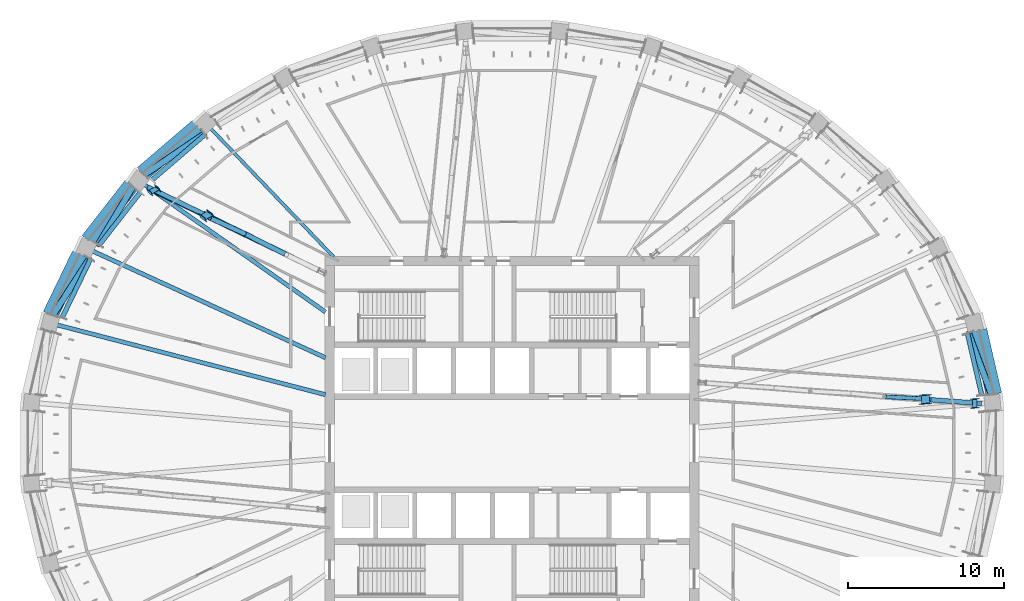
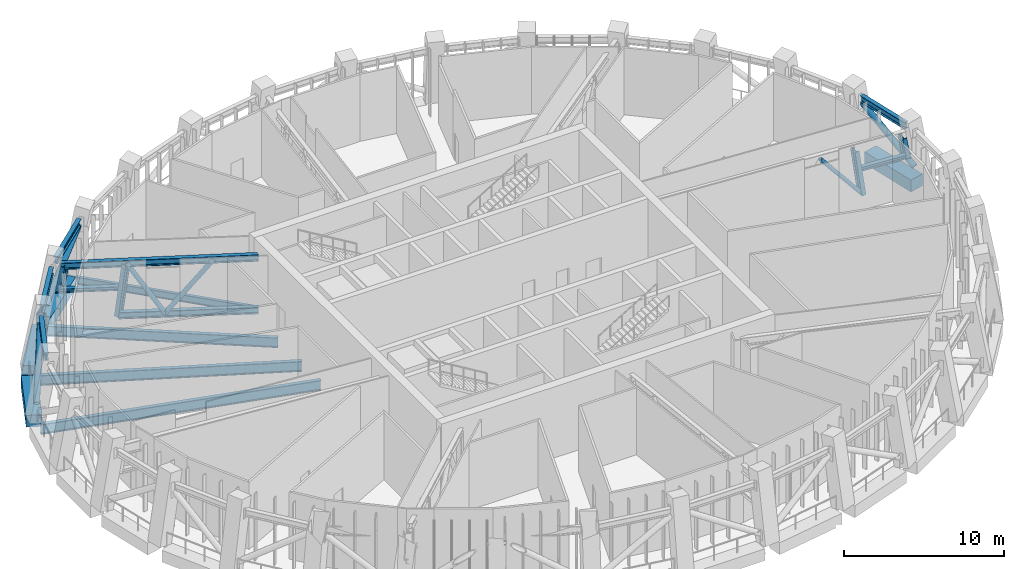
# One storey, part 4 of 20: 19 members, 8 beams.
"""IFC4 building model written with IfcOpenShell, lengths in metres."""

from ifc_helpers import new_model, si_unit, direction, frame, origin, origin_2d, place, context, subcontext, project, spatial, rectangle, hollow_circle, i_section, extrude, material, material_profile, profile_set, type_object, element, save


model = new_model("IFC4")

# Units and contexts
model_context = context("Model", 3, precision=1e-05, world=origin(), true_north=direction((0.0, 1.0)))
body_context = subcontext(model_context, "Body", "Model", "MODEL_VIEW")
ifc_project = project(units=[si_unit("LENGTHUNIT", "METRE"), si_unit("AREAUNIT", "SQUARE_METRE"), si_unit("VOLUMEUNIT", "CUBIC_METRE"), si_unit("PLANEANGLEUNIT", "RADIAN"), si_unit("MASSUNIT", "GRAM", prefix="KILO")], contexts=[model_context])

# Site, building, storey
site_placement = place(None, origin())
site = spatial("IfcSite", under=ifc_project, at=site_placement, CompositionType="ELEMENT")
building_placement = place(site_placement, origin())
building = spatial("IfcBuilding", under=site, at=building_placement, Name="Halqa Exchange Tower", CompositionType="ELEMENT")
storey_placement = place(building_placement, frame((0.0, 0.0, 250.89990234375)))
storey = spatial("IfcBuildingStorey", under=building, at=storey_placement, Name="L58", CompositionType="ELEMENT", Elevation=250.89990234375)

# Members
ifc_material_1 = material(Name="Steel S355", Category="steel")
ifc_material_profile_1 = material_profile(ifc_material_1, i_section(OverallWidth=0.300048828125, OverallDepth=0.5, WebThickness=0.014404296875, FlangeThickness=0.028076171875, FilletRadius=0.027099609375, at=origin_2d()), Name="HEB 500")
ifc_profile_set_1 = profile_set([ifc_material_profile_1], Name="Steel S355")
member_type_1 = type_object("IfcMemberType", Name="Belt truss chord HEB 500", PredefinedType="CHORD", material=ifc_profile_set_1)
member_1_placement = place(storey_placement, frame((30.157958984375, 3.068603515625, 4.25), z_axis=(-0.226017574115, 0.974123224336, 0.0), x_axis=(-0.974123224336, -0.226017574115, 0.0)))
element("IfcMember", 1, at=member_1_placement, inside=storey, type_object=member_type_1, Name="Belt chord 1", PredefinedType="CHORD", context=body_context, shape_type="SweptSolid", body=[
    extrude(i_section(OverallWidth=0.300048828125, OverallDepth=0.5, WebThickness=0.014404296875, FlangeThickness=0.028076171875, FilletRadius=0.027099609375, at=origin_2d()), origin(), (0.0, 0.0, 1.0), 4.094970703125),
])
member_2_placement = place(storey_placement, frame((-19.698486328125, 19.816650390625, 4.25), z_axis=(-0.759271904272, -0.650773520807, 0.0), x_axis=(0.650773520807, -0.759271904272, 0.0)))
element("IfcMember", 2, at=member_2_placement, inside=storey, type_object=member_type_1, Name="Belt chord 12", PredefinedType="CHORD", context=body_context, shape_type="SweptSolid", body=[
    extrude(i_section(OverallWidth=0.300048828125, OverallDepth=0.5, WebThickness=0.014404296875, FlangeThickness=0.028076171875, FilletRadius=0.027099609375, at=origin_2d()), origin(), (0.0, 0.0, 1.0), 4.5048828125),
])
member_3_placement = place(storey_placement, frame((-23.8408203125, 16.128662109375, 4.25), z_axis=(-0.61482050044, -0.78866707313, 0.0), x_axis=(0.78866707313, -0.61482050044, 0.0)))
element("IfcMember", 3, at=member_3_placement, inside=storey, type_object=member_type_1, Name="Belt chord 13", PredefinedType="CHORD", context=body_context, shape_type="SweptSolid", body=[
    extrude(i_section(OverallWidth=0.300048828125, OverallDepth=0.5, WebThickness=0.014404296875, FlangeThickness=0.028076171875, FilletRadius=0.027099609375, at=origin_2d()), origin(), (0.0, 0.0, 1.0), 4.33935546875),
])
member_4_placement = place(storey_placement, frame((-27.0595703125, 11.820068359375, 4.25), z_axis=(-0.4350908165, -0.90038657331, 0.0), x_axis=(0.90038657331, -0.4350908165, 0.0)))
element("IfcMember", 4, at=member_4_placement, inside=storey, type_object=member_type_1, Name="Belt chord 14", PredefinedType="CHORD", context=body_context, shape_type="SweptSolid", body=[
    extrude(i_section(OverallWidth=0.300048828125, OverallDepth=0.5, WebThickness=0.014404296875, FlangeThickness=0.028076171875, FilletRadius=0.027099609375, at=origin_2d()), origin(), (0.0, 0.0, 1.0), 4.195068359375),
])
ifc_material_profile_2 = material_profile(ifc_material_1, hollow_circle(Radius=0.203125, WallThickness=0.02490234375, at=origin_2d()), Name="CHS 406.4x25")
ifc_profile_set_2 = profile_set([ifc_material_profile_2], Name="Steel S355")
member_type_2 = type_object("IfcMemberType", Name="Belt truss diagonal CHS 406.4x25", PredefinedType="BRACE", material=ifc_profile_set_2)
member_5_placement = place(storey_placement, frame((30.779296875, 3.11865234375, 0.8818359375), z_axis=(-0.285989857833, 0.764098993003, 0.578240892801), x_axis=(-0.936549522453, -0.350535293506, 0.0)))
element("IfcMember", 5, at=member_5_placement, inside=storey, type_object=member_type_2, Name="Belt diagonal 1", PredefinedType="BRACE", context=body_context, shape_type="SweptSolid", body=[
    extrude(hollow_circle(Radius=0.203125, WallThickness=0.02490234375, at=origin_2d()), origin(), (0.0, 0.0, 1.0), 5.18603515625),
])
member_6_placement = place(storey_placement, frame((-19.732666015625, 19.86376953125, 3.9091796875), z_axis=(-0.692379731861, -0.471487166758, -0.546177771875), x_axis=(0.562855976316, -0.826554989051, 0.0)))
element("IfcMember", 6, at=member_6_placement, inside=storey, type_object=member_type_2, Name="Belt diagonal 12", PredefinedType="BRACE", context=body_context, shape_type="SweptSolid", body=[
    extrude(hollow_circle(Radius=0.203125, WallThickness=0.02490234375, at=origin_2d()), origin(), (0.0, 0.0, 1.0), 5.605712890625),
])
member_7_placement = place(storey_placement, frame((-24.329833984375, 16.461669921875, 0.8720703125), z_axis=(-0.422540858063, -0.704188568963, 0.570594148769), x_axis=(0.857478035595, -0.514520571476, 0.0)))
element("IfcMember", 7, at=member_7_placement, inside=storey, type_object=member_type_2, Name="Belt diagonal 13", PredefinedType="BRACE", context=body_context, shape_type="SweptSolid", body=[
    extrude(hollow_circle(Radius=0.203125, WallThickness=0.02490234375, at=origin_2d()), origin(), (0.0, 0.0, 1.0), 5.28515625),
])
member_8_placement = place(storey_placement, frame((-27.114501953125, 11.85498046875, 3.889404296875), z_axis=(-0.447066654796, -0.690276806546, -0.568901868967), x_axis=(0.83933884135, -0.543608599455, 0.0)))
element("IfcMember", 8, at=member_8_placement, inside=storey, type_object=member_type_2, Name="Belt diagonal 14", PredefinedType="BRACE", context=body_context, shape_type="SweptSolid", body=[
    extrude(hollow_circle(Radius=0.203125, WallThickness=0.02490234375, at=origin_2d()), origin(), (0.0, 0.0, 1.0), 5.30419921875),
])

# Beams
ifc_material_profile_3 = material_profile(ifc_material_1, i_section(OverallWidth=0.2099609375, OverallDepth=0.550048828125, WebThickness=0.010986328125, FlangeThickness=0.01708984375, FilletRadius=0.02392578125, at=origin_2d()), Name="IPE 550")
ifc_profile_set_3 = profile_set([ifc_material_profile_3], Name="Steel S355")
beam_type_1 = type_object("IfcBeamType", Name="Floor beam IPE 550", PredefinedType="BEAM", material=ifc_profile_set_3)
beam_1_placement = place(storey_placement, frame((-11.462646484375, 11.971923828125, -0.625), z_axis=(-0.691575675891, 0.722304011145, 0.0), x_axis=(-0.722304011145, -0.691575675891, 0.0)))
element("IfcBeam", 9, at=beam_1_placement, inside=storey, type_object=beam_type_1, Name="Radial beam 12", PredefinedType="BEAM", context=body_context, shape_type="SweptSolid", body=[
    extrude(i_section(OverallWidth=0.2099609375, OverallDepth=0.550048828125, WebThickness=0.010986328125, FlangeThickness=0.01708984375, FilletRadius=0.02392578125, at=origin_2d()), origin(), (0.0, 0.0, 1.0), 11.679443359375),
])
ifc_material_profile_4 = material_profile(ifc_material_1, i_section(OverallWidth=0.264892578125, OverallDepth=0.7529296875, WebThickness=0.01318359375, FlangeThickness=0.01708984375, FilletRadius=0.01708984375, at=origin_2d()), Name="IPE 750x147")
ifc_profile_set_4 = profile_set([ifc_material_profile_4], Name="Steel S355")
beam_type_2 = type_object("IfcBeamType", Name="Floor beam IPE 750x147", PredefinedType="BEAM", material=ifc_profile_set_4)
beam_2_placement = place(storey_placement, frame((-11.97216796875, 8.421630859375, -0.726318359375), z_axis=(-0.817908068869, 0.575348929676, 0.0), x_axis=(-0.575348929676, -0.817908068869, 0.0)))
element("IfcBeam", 10, at=beam_2_placement, inside=storey, type_object=beam_type_2, Name="Radial beam 13", PredefinedType="BEAM", context=body_context, shape_type="SweptSolid", body=[
    extrude(i_section(OverallWidth=0.264892578125, OverallDepth=0.7529296875, WebThickness=0.01318359375, FlangeThickness=0.01708984375, FilletRadius=0.01708984375, at=origin_2d()), origin(), (0.0, 0.0, 1.0), 14.48388671875),
])
ifc_material_profile_5 = material_profile(ifc_material_1, i_section(OverallWidth=0.26806640625, OverallDepth=0.77001953125, WebThickness=0.015625, FlangeThickness=0.025390625, FilletRadius=0.01708984375, at=origin_2d()), Name="IPE 750x196")
ifc_profile_set_5 = profile_set([ifc_material_profile_5], Name="Steel S355")
beam_type_3 = type_object("IfcBeamType", Name="Floor beam IPE 750x196", PredefinedType="BEAM", material=ifc_profile_set_5)
beam_3_placement = place(storey_placement, frame((-11.97119140625, 5.484619140625, -0.73486328125), z_axis=(-0.909127215355, 0.41651855457, 0.0), x_axis=(-0.41651855457, -0.909127215355, 0.0)))
element("IfcBeam", 11, at=beam_3_placement, inside=storey, type_object=beam_type_3, Name="Radial beam 14", PredefinedType="BEAM", context=body_context, shape_type="SweptSolid", body=[
    extrude(i_section(OverallWidth=0.26806640625, OverallDepth=0.77001953125, WebThickness=0.015625, FlangeThickness=0.025390625, FilletRadius=0.01708984375, at=origin_2d()), origin(), (0.0, 0.0, 1.0), 16.732666015625),
])
beam_4_placement = place(storey_placement, frame((-11.97119140625, 3.112548828125, -0.73486328125), z_axis=(-0.967817321114, 0.251653795821, 0.0), x_axis=(-0.251653795821, -0.967817321114, 0.0)))
element("IfcBeam", 12, at=beam_4_placement, inside=storey, type_object=beam_type_3, Name="Radial beam 15", PredefinedType="BEAM", context=body_context, shape_type="SweptSolid", body=[
    extrude(i_section(OverallWidth=0.26806640625, OverallDepth=0.77001953125, WebThickness=0.015625, FlangeThickness=0.025390625, FilletRadius=0.01708984375, at=origin_2d()), origin(), (0.0, 0.0, 1.0), 18.116455078125),
])

# Members
ifc_material_profile_6 = material_profile(ifc_material_1, i_section(OverallWidth=0.300048828125, OverallDepth=0.5, WebThickness=0.014404296875, FlangeThickness=0.028076171875, FilletRadius=0.027099609375, at=origin_2d()), Name="HEB 500")
ifc_profile_set_6 = profile_set([ifc_material_profile_6], Name="Steel S355")
member_type_3 = type_object("IfcMemberType", Name="Outrigger chord HEB 500", PredefinedType="CHORD", material=ifc_profile_set_6)
member_9_placement = place(storey_placement, frame((-11.975830078125, 10.88818359375, 0.25), z_axis=(-0.896841754673, 0.442351519807, 0.0), x_axis=(-0.442351519807, -0.896841754673, 0.0)))
element("IfcMember", 13, at=member_9_placement, inside=storey, type_object=member_type_3, Name="Outrigger 4 chord", PredefinedType="CHORD", context=body_context, shape_type="SweptSolid", body=[
    extrude(i_section(OverallWidth=0.300048828125, OverallDepth=0.5, WebThickness=0.014404296875, FlangeThickness=0.028076171875, FilletRadius=0.027099609375, at=origin_2d()), origin(), (0.0, 0.0, 1.0), 8.7490234375),
])
member_10_placement = place(storey_placement, frame((-11.975830078125, 10.88818359375, 4.25), z_axis=(-0.900668764805, 0.434506359108, 0.0), x_axis=(-0.434506359108, -0.900668764805, 0.0)))
element("IfcMember", 14, at=member_10_placement, inside=storey, type_object=member_type_3, Name="Outrigger 4 chord", PredefinedType="CHORD", context=body_context, shape_type="SweptSolid", body=[
    extrude(i_section(OverallWidth=0.300048828125, OverallDepth=0.5, WebThickness=0.014404296875, FlangeThickness=0.028076171875, FilletRadius=0.027099609375, at=origin_2d()), origin(), (0.0, 0.0, 1.0), 12.378173828125),
])
ifc_material_profile_7 = material_profile(ifc_material_1, hollow_circle(Radius=0.136474609375, WallThickness=0.01611328125, at=origin_2d()), Name="CHS 273x16")
ifc_profile_set_7 = profile_set([ifc_material_profile_7], Name="Steel S355")
member_type_4 = type_object("IfcMemberType", Name="Outrigger diagonal CHS 273x16", PredefinedType="BRACE", material=ifc_profile_set_7)
member_11_placement = place(storey_placement, frame((23.90283203125, 2.980224609375, 3.940185546875), z_axis=(0.634323057085, -0.030637953111, -0.772460727208), x_axis=(0.048243993879, 0.998835580591, 0.0)))
element("IfcMember", 15, at=member_11_placement, inside=storey, type_object=member_type_4, Name="Outrigger 1 diagonal", PredefinedType="BRACE", context=body_context, shape_type="SweptSolid", body=[
    extrude(hollow_circle(Radius=0.136474609375, WallThickness=0.01611328125, at=origin_2d()), origin(), (0.0, 0.0, 1.0), 4.573974609375),
])
ifc_material_profile_8 = material_profile(ifc_material_1, hollow_circle(Radius=0.161865234375, WallThickness=0.01611328125, at=origin_2d()), Name="CHS 323.9x16")
ifc_profile_set_8 = profile_set([ifc_material_profile_8], Name="Steel S355")
member_type_5 = type_object("IfcMemberType", Name="Outrigger diagonal CHS 323.9x16", PredefinedType="BRACE", material=ifc_profile_set_8)
member_12_placement = place(storey_placement, frame((-14.47216796875, 12.092529296875, 4.25), z_axis=(-0.541905088461, 0.272602326914, -0.795001161295), x_axis=(-0.449388020676, -0.893336670507, 0.0)))
element("IfcMember", 16, at=member_12_placement, inside=storey, type_object=member_type_5, Name="Outrigger 4 diagonal", PredefinedType="BRACE", context=body_context, shape_type="SweptSolid", body=[
    extrude(hollow_circle(Radius=0.161865234375, WallThickness=0.01611328125, at=origin_2d()), origin(), (0.0, 0.0, 1.0), 5.031494140625),
])
member_13_placement = place(storey_placement, frame((-17.19873046875, 13.464111328125, 0.25), z_axis=(-0.473411712545, 0.216381046949, 0.85385045116), x_axis=(-0.415702972315, -0.909500433649, 0.0)))
element("IfcMember", 17, at=member_13_placement, inside=storey, type_object=member_type_5, Name="Outrigger 4 diagonal", PredefinedType="BRACE", context=body_context, shape_type="SweptSolid", body=[
    extrude(hollow_circle(Radius=0.161865234375, WallThickness=0.01611328125, at=origin_2d()), origin(), (0.0, 0.0, 1.0), 4.6845703125),
])
ifc_material_profile_9 = material_profile(ifc_material_1, i_section(OverallWidth=0.300048828125, OverallDepth=0.300048828125, WebThickness=0.010986328125, FlangeThickness=0.01904296875, FilletRadius=0.027099609375, at=origin_2d()), Name="HEB 300")
ifc_profile_set_9 = profile_set([ifc_material_profile_9], Name="Steel S355")
member_type_6 = type_object("IfcMemberType", Name="Outrigger opening chord HEB 300", PredefinedType="CHORD", material=ifc_profile_set_9)
member_14_placement = place(storey_placement, frame((26.517822265625, 2.81591796875, 2.35009765625), z_axis=(0.99722401969, -0.074459751235, 0.0), x_axis=(0.074459751235, 0.99722401969, 0.0)))
element("IfcMember", 18, at=member_14_placement, inside=storey, type_object=member_type_6, Name="Outrigger 1 opening chord", PredefinedType="CHORD", context=body_context, shape_type="SweptSolid", body=[
    extrude(i_section(OverallWidth=0.300048828125, OverallDepth=0.300048828125, WebThickness=0.010986328125, FlangeThickness=0.01904296875, FilletRadius=0.027099609375, at=origin_2d()), origin(), (0.0, 0.0, 1.0), 3.639404296875),
])
member_15_placement = place(storey_placement, frame((-19.59765625, 14.60546875, 2.35009765625), z_axis=(-0.898819514577, 0.438318925232, 0.0), x_axis=(-0.438318925232, -0.898819514577, 0.0)))
element("IfcMember", 19, at=member_15_placement, inside=storey, type_object=member_type_6, Name="Outrigger 4 opening chord", PredefinedType="CHORD", context=body_context, shape_type="SweptSolid", body=[
    extrude(i_section(OverallWidth=0.300048828125, OverallDepth=0.300048828125, WebThickness=0.010986328125, FlangeThickness=0.01904296875, FilletRadius=0.027099609375, at=origin_2d()), origin(), (0.0, 0.0, 1.0), 4.2265625),
])
ifc_material_profile_10 = material_profile(ifc_material_1, i_section(OverallWidth=0.300048828125, OverallDepth=0.60009765625, WebThickness=0.015380859375, FlangeThickness=0.030029296875, FilletRadius=0.027099609375, at=origin_2d()), Name="HEB 600")
ifc_profile_set_10 = profile_set([ifc_material_profile_10], Name="Steel S355")
member_type_7 = type_object("IfcMemberType", Name="Outrigger post HEB 600", PredefinedType="POST", material=ifc_profile_set_10)
member_16_placement = place(storey_placement, frame((26.80419921875, 2.840087890625, 0.406982421875), z_axis=(-0.145801767846, -0.012303946654, 0.989237310957), x_axis=(0.989215479973, 0.012285594383, 0.14595135612)))
element("IfcMember", 20, at=member_16_placement, inside=storey, type_object=member_type_7, Name="Outrigger 1 post", PredefinedType="POST", context=body_context, shape_type="SweptSolid", body=[
    extrude(i_section(OverallWidth=0.300048828125, OverallDepth=0.60009765625, WebThickness=0.015380859375, FlangeThickness=0.030029296875, FilletRadius=0.027099609375, at=origin_2d()), origin(), (0.0, 0.0, 1.0), 3.571533203125),
])
member_17_placement = place(storey_placement, frame((29.849365234375, 2.56640625, 2.35009765625), z_axis=(-0.181175530819, -0.01539992012, 0.983330193522), x_axis=(0.983336770736, 0.012387457512, 0.181370742446)))
element("IfcMember", 21, at=member_17_placement, inside=storey, type_object=member_type_7, Name="Outrigger 1 post", PredefinedType="POST", context=body_context, shape_type="SweptSolid", body=[
    extrude(i_section(OverallWidth=0.300048828125, OverallDepth=0.60009765625, WebThickness=0.015380859375, FlangeThickness=0.030029296875, FilletRadius=0.027099609375, at=origin_2d()), origin(), (0.0, 0.0, 1.0), 1.616943359375),
])
member_18_placement = place(storey_placement, frame((-19.798095703125, 14.746337890625, 0.25), z_axis=(0.094755394628, -0.066686458152, 0.993264482144), x_axis=(0.473631304565, -0.874573006391, -0.103901125248)))
element("IfcMember", 22, at=member_18_placement, inside=storey, type_object=member_type_7, Name="Outrigger 4 post", PredefinedType="POST", context=body_context, shape_type="SweptSolid", body=[
    extrude(i_section(OverallWidth=0.300048828125, OverallDepth=0.60009765625, WebThickness=0.015380859375, FlangeThickness=0.030029296875, FilletRadius=0.027099609375, at=origin_2d()), origin(), (0.0, 0.0, 1.0), 4.027099609375),
])
member_19_placement = place(storey_placement, frame((-23.12841796875, 16.32568359375, 2.35009765625), z_axis=(0.141008581216, -0.099111058431, 0.985034810613), x_axis=(0.468121685646, -0.870043363867, -0.154553008445)))
element("IfcMember", 23, at=member_19_placement, inside=storey, type_object=member_type_7, Name="Outrigger 4 post", PredefinedType="POST", context=body_context, shape_type="SweptSolid", body=[
    extrude(i_section(OverallWidth=0.300048828125, OverallDepth=0.60009765625, WebThickness=0.015380859375, FlangeThickness=0.030029296875, FilletRadius=0.027099609375, at=origin_2d()), origin(), (0.0, 0.0, 1.0), 1.9287109375),
])

# Beams
ifc_material_2 = material(Name="Concrete C60/75", Category="concrete")
ifc_material_profile_11 = material_profile(ifc_material_2, rectangle(XDim=1.0, YDim=0.89990234375, at=origin_2d()), Name="1000 x 900")
ifc_profile_set_11 = profile_set([ifc_material_profile_11], Name="Concrete C60/75")
beam_type_4 = type_object("IfcBeamType", Name="RC spandrel beam 1000 x 900 C60/75", PredefinedType="SPANDREL", material=ifc_profile_set_11)
beam_5_placement = place(storey_placement, frame((30.941650390625, 3.13330078125, -0.449951171875), z_axis=(-0.226039726133, 0.974118084325, 0.0), x_axis=(-0.974118084325, -0.226039726133, 0.0)))
element("IfcBeam", 24, at=beam_5_placement, inside=storey, type_object=beam_type_4, Name="Spandrel 1", PredefinedType="SPANDREL", context=body_context, shape_type="SweptSolid", body=[
    extrude(rectangle(XDim=1.0, YDim=0.89990234375, at=origin_2d()), origin(), (0.0, 0.0, 1.0), 4.2294921875),
])
beam_6_placement = place(storey_placement, frame((-20.197998046875, 20.337890625, -0.449951171875), z_axis=(-0.759267722395, -0.650778399864, 0.0), x_axis=(0.650778399864, -0.759267722395, 0.0)))
element("IfcBeam", 25, at=beam_6_placement, inside=storey, type_object=beam_type_4, Name="Spandrel 12", PredefinedType="SPANDREL", context=body_context, shape_type="SweptSolid", body=[
    extrude(rectangle(XDim=1.0, YDim=0.89990234375, at=origin_2d()), origin(), (0.0, 0.0, 1.0), 4.649169921875),
])
beam_7_placement = place(storey_placement, frame((-24.448974609375, 16.556884765625, -0.449951171875), z_axis=(-0.614827074471, -0.788661948174, 0.0), x_axis=(0.788661948174, -0.614827074471, 0.0)))
element("IfcBeam", 26, at=beam_7_placement, inside=storey, type_object=beam_type_4, Name="Spandrel 13", PredefinedType="SPANDREL", context=body_context, shape_type="SweptSolid", body=[
    extrude(rectangle(XDim=1.0, YDim=0.89990234375, at=origin_2d()), origin(), (0.0, 0.0, 1.0), 4.478759765625),
])
beam_8_placement = place(storey_placement, frame((-27.754150390625, 12.13720703125, -0.449951171875), z_axis=(-0.435106956981, -0.900378773621, 0.0), x_axis=(0.900378773621, -0.435106956981, 0.0)))
element("IfcBeam", 27, at=beam_8_placement, inside=storey, type_object=beam_type_4, Name="Spandrel 14", PredefinedType="SPANDREL", context=body_context, shape_type="SweptSolid", body=[
    extrude(rectangle(XDim=1.0, YDim=0.89990234375, at=origin_2d()), origin(), (0.0, 0.0, 1.0), 4.330078125),
])

save(model, "model.ifc")
